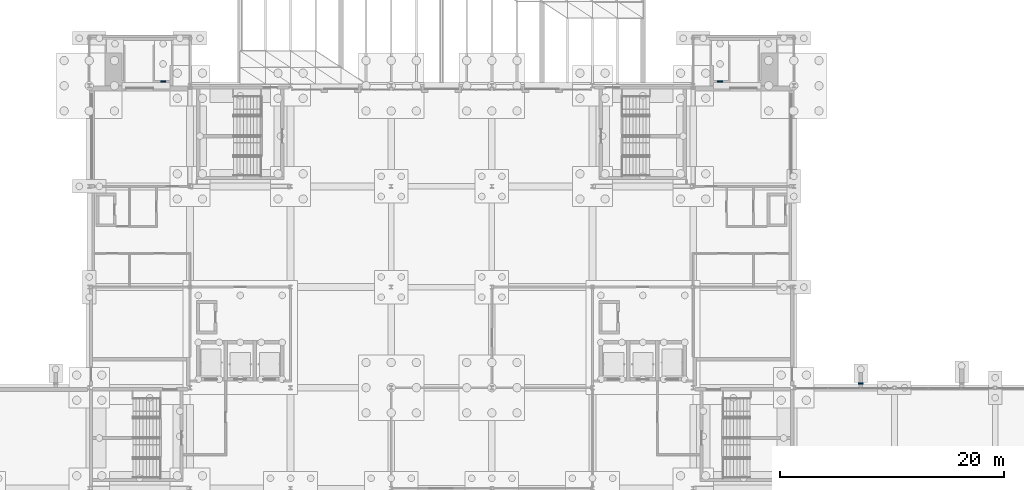
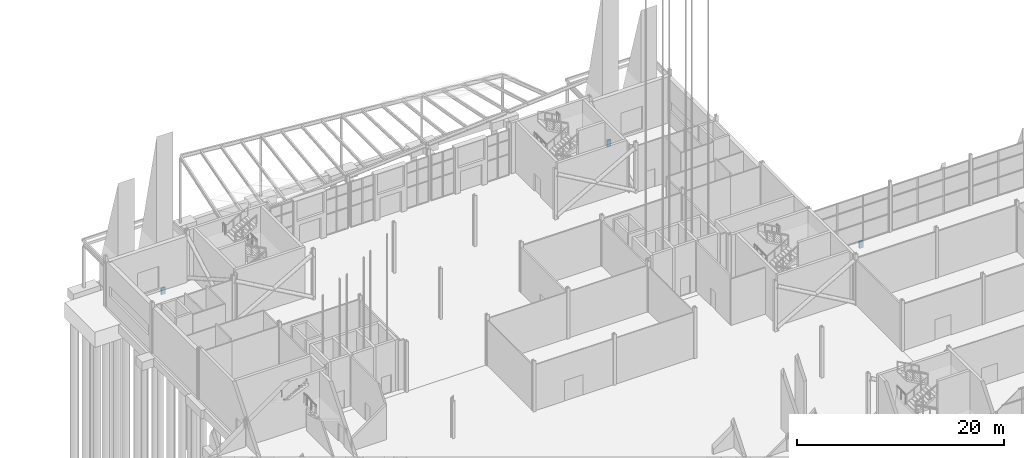
# One storey, part 14 of 139: 3 footings.
"""IFC4 building model written with IfcOpenShell, lengths in metres."""

from ifc_helpers import new_model, si_unit, direction, frame, origin, origin_2d, place, context, subcontext, project, spatial, rectangle, extrude, material, type_object, element, save


model = new_model("IFC4")

# Units and contexts
model_context = context("Model", 3, precision=1e-05, world=origin(), true_north=direction((0.0, 1.0)))
body_context = subcontext(model_context, "Body", "Model", "MODEL_VIEW")
ifc_project = project(units=[si_unit("LENGTHUNIT", "METRE"), si_unit("AREAUNIT", "SQUARE_METRE"), si_unit("VOLUMEUNIT", "CUBIC_METRE"), si_unit("PLANEANGLEUNIT", "RADIAN"), si_unit("MASSUNIT", "GRAM", prefix="KILO")], contexts=[model_context])

# Site, building, storey
site_placement = place(None, origin())
site = spatial("IfcSite", under=ifc_project, at=site_placement, CompositionType="ELEMENT")
building_placement = place(site_placement, origin())
building = spatial("IfcBuilding", under=site, at=building_placement, Name="Shorebreak Coast Museum", CompositionType="ELEMENT")
storey_placement = place(building_placement, origin())
storey = spatial("IfcBuildingStorey", under=building, at=storey_placement, Name="L00", CompositionType="ELEMENT", Elevation=0.0)

# Footings
ifc_material = material(Name="Concrete N50 (50 MPa)", Category="concrete")
footing_type = type_object("IfcFootingType", Name="Footing ground beam 450x800", PredefinedType="FOOTING_BEAM", material=ifc_material)
for number, where, z_axis, x_axis, name in (
    (1, (123.0, 90.375, -1.10009765625), (0.0, 0.0, 1.0), (1.0, 0.0, 0.0), "Ground beam fin to tie EN"),
    (2, (60.60009765625, 117.375, -1.10009765625), (0.0, 0.0, 1.0), (1.0, 0.0, 0.0), "Ground beam fin to tie N"),
    (3, (110.39990234375, 117.375, -1.10009765625), (0.0, 0.0, 1.0), (1.0, 0.0, 0.0), "Ground beam fin to tie N"),
):
    element("IfcFooting", number, at=place(storey_placement, frame(where, z_axis=z_axis, x_axis=x_axis)), inside=storey, type_object=footing_type, Name=name, PredefinedType="FOOTING_BEAM", context=body_context, shape_type="SweptSolid", body=[
        extrude(rectangle(XDim=0.449951171875, YDim=0.14990234375, at=origin_2d()), origin(), (0.0, 0.0, 1.0), 0.800048828125),
    ])

save(model, "model.ifc")
